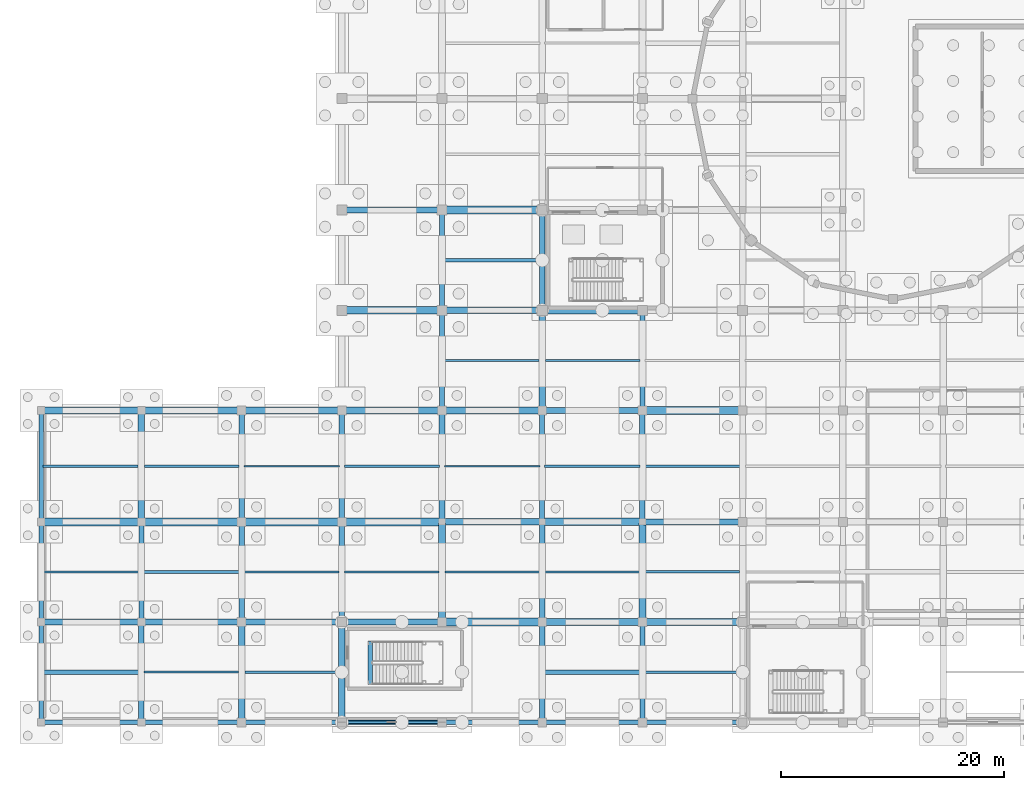
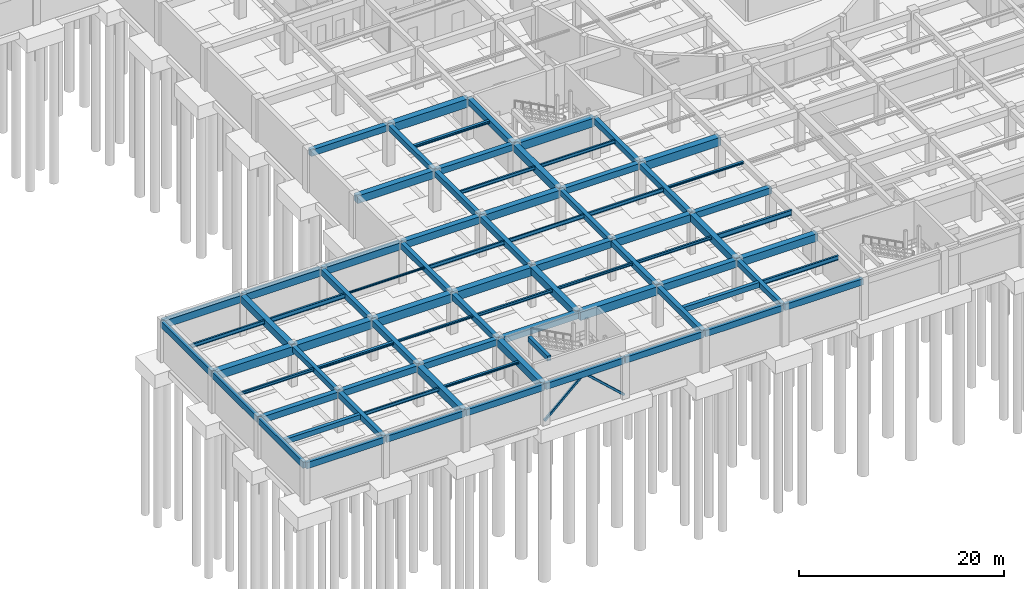
# One storey, part 28 of 62: 81 beams, 2 members.
"""IFC4 building model written with IfcOpenShell, lengths in metres."""

from ifc_helpers import new_model, si_unit, direction, frame, origin, origin_2d, place, context, subcontext, project, spatial, rectangle, hollow_rectangle, i_section, extrude, material, material_profile, profile_set, type_object, element, save


model = new_model("IFC4")

# Units and contexts
model_context = context("Model", 3, precision=1e-05, world=origin(), true_north=direction((0.0, 1.0)))
body_context = subcontext(model_context, "Body", "Model", "MODEL_VIEW")
ifc_project = project(units=[si_unit("LENGTHUNIT", "METRE"), si_unit("AREAUNIT", "SQUARE_METRE"), si_unit("VOLUMEUNIT", "CUBIC_METRE"), si_unit("PLANEANGLEUNIT", "RADIAN"), si_unit("MASSUNIT", "GRAM", prefix="KILO")], contexts=[model_context])

# Site, building, storey
site_placement = place(None, origin())
site = spatial("IfcSite", under=ifc_project, at=site_placement, CompositionType="ELEMENT")
building_placement = place(site_placement, origin())
building = spatial("IfcBuilding", under=site, at=building_placement, Name="Miravela Opera House", CompositionType="ELEMENT")
storey_placement = place(building_placement, frame((0.0, 0.0, -5.10009765625)))
storey = spatial("IfcBuildingStorey", under=building, at=storey_placement, Name="B01", CompositionType="ELEMENT", Elevation=-5.10009765625)

# Beams
ifc_material_1 = material(Name="Concrete C35/45", Category="concrete")
ifc_material_profile_1 = material_profile(ifc_material_1, rectangle(XDim=0.39990234375, YDim=0.60009765625, at=origin_2d()), Name="RC-BM-400X600")
ifc_profile_set_1 = profile_set([ifc_material_profile_1])
beam_type_1 = type_object("IfcBeamType", Name="STR-BM-RC400X600", PredefinedType="JOIST", material=ifc_profile_set_1)
beam_1_placement = place(storey_placement, frame((0.18505859375, 4.5, 4.52001953125), z_axis=(1.0, 0.0, 0.0), x_axis=(0.0, 1.0, 0.0)))
element("IfcBeam", 1, at=beam_1_placement, inside=storey, type_object=beam_type_1, Name="Secondary Floor Joist B01 1-2/A-B", PredefinedType="JOIST", context=body_context, shape_type="SweptSolid", body=[
    extrude(rectangle(XDim=0.39990234375, YDim=0.60009765625, at=origin_2d()), origin(), (0.0, 0.0, 1.0), 8.58984375),
])
beam_2_placement = place(storey_placement, frame((45.235107421875, 4.5, 4.52001953125), z_axis=(1.0, 0.0, 0.0), x_axis=(0.0, 1.0, 0.0)))
element("IfcBeam", 2, at=beam_2_placement, inside=storey, type_object=beam_type_1, Name="Secondary Floor Joist B01 6-7/A-B", PredefinedType="JOIST", context=body_context, shape_type="SweptSolid", body=[
    extrude(rectangle(XDim=0.39990234375, YDim=0.60009765625, at=origin_2d()), origin(), (0.0, 0.0, 1.0), 8.554931640625),
])
beam_3_placement = place(storey_placement, frame((29.5400390625, 3.39990234375, 4.800048828125), z_axis=(0.0, 1.0, 0.0), x_axis=(-1.0, 0.0, 0.0)))
element("IfcBeam", 3, at=beam_3_placement, inside=storey, type_object=beam_type_1, Name="Stair ST-08 Opening Header Trimmer Beam 00", PredefinedType="JOIST", context=body_context, shape_type="SweptSolid", body=[
    extrude(rectangle(XDim=0.39990234375, YDim=0.60009765625, at=origin_2d()), origin(), (0.0, 0.0, 1.0), 3.880126953125),
])
ifc_material_profile_2 = material_profile(ifc_material_1, rectangle(XDim=0.449951171875, YDim=0.64990234375, at=origin_2d()), Name="RC-BM-450X650")
ifc_profile_set_2 = profile_set([ifc_material_profile_2])
beam_type_2 = type_object("IfcBeamType", Name="STR-BM-RC450X650", PredefinedType="BEAM", material=ifc_profile_set_2)
for number, where, z_axis, x_axis, name in (
    (4, (9.0, 9.080078125, 4.4951171875), (0.0, 1.0, 0.0), (-1.0, 0.0, 0.0), "Floor Girder B01 2/B-C"),
    (5, (36.0, 37.080078125, 4.4951171875), (0.0, 1.0, 0.0), (-1.0, 0.0, 0.0), "Floor Girder B01 5/E-F"),
):
    element("IfcBeam", number, at=place(storey_placement, frame(where, z_axis=z_axis, x_axis=x_axis)), inside=storey, type_object=beam_type_2, Name=name, PredefinedType="BEAM", context=body_context, shape_type="SweptSolid", body=[
        extrude(rectangle(XDim=0.449951171875, YDim=0.64990234375, at=origin_2d()), origin(), (0.0, 0.0, 1.0), 8.83984375),
    ])
beam_4_placement = place(storey_placement, frame((45.0, 18.080078125, 4.505126953125), z_axis=(0.0, 1.0, 0.0), x_axis=(-1.0, 0.0, 0.0)))
element("IfcBeam", 6, at=beam_4_placement, inside=storey, type_object=beam_type_2, Name="Floor Girder B01 6/C-D", PredefinedType="BEAM", context=body_context, shape_type="SweptSolid", body=[
    extrude(rectangle(XDim=0.449951171875, YDim=0.64990234375, at=origin_2d()), origin(), (0.0, 0.0, 1.0), 9.83984375),
])
beam_5_placement = place(storey_placement, frame((54.0, 0.080078125, 4.4951171875), z_axis=(0.0, 1.0, 0.0), x_axis=(-1.0, 0.0, 0.0)))
element("IfcBeam", 7, at=beam_5_placement, inside=storey, type_object=beam_type_2, Name="Floor Girder B01 7/A-B", PredefinedType="BEAM", context=body_context, shape_type="SweptSolid", body=[
    extrude(rectangle(XDim=0.449951171875, YDim=0.64990234375, at=origin_2d()), origin(), (0.0, 0.0, 1.0), 8.83984375),
])
ifc_material_profile_3 = material_profile(ifc_material_1, rectangle(XDim=0.47998046875, YDim=0.679931640625, at=origin_2d()), Name="RC-BM-480X680")
ifc_profile_set_3 = profile_set([ifc_material_profile_3])
beam_type_3 = type_object("IfcBeamType", Name="STR-BM-RC480X680", PredefinedType="BEAM", material=ifc_profile_set_3)
beam_6_placement = place(storey_placement, frame((9.0, 0.080078125, 4.47998046875), z_axis=(0.0, 1.0, 0.0), x_axis=(-1.0, 0.0, 0.0)))
element("IfcBeam", 8, at=beam_6_placement, inside=storey, type_object=beam_type_3, Name="Floor Girder B01 2/A-B", PredefinedType="BEAM", context=body_context, shape_type="SweptSolid", body=[
    extrude(rectangle(XDim=0.47998046875, YDim=0.679931640625, at=origin_2d()), origin(), (0.0, 0.0, 1.0), 8.83984375),
])
for number, where, z_axis, x_axis, name in (
    (9, (18.0, 18.080078125, 4.47998046875), (0.0, 1.0, 0.0), (-1.0, 0.0, 0.0), "Floor Girder B01 3/C-D"),
    (10, (27.0, 18.080078125, 4.47998046875), (0.0, 1.0, 0.0), (-1.0, 0.0, 0.0), "Floor Girder B01 4/C-D"),
):
    element("IfcBeam", number, at=place(storey_placement, frame(where, z_axis=z_axis, x_axis=x_axis)), inside=storey, type_object=beam_type_3, Name=name, PredefinedType="BEAM", context=body_context, shape_type="SweptSolid", body=[
        extrude(rectangle(XDim=0.47998046875, YDim=0.679931640625, at=origin_2d()), origin(), (0.0, 0.0, 1.0), 9.83984375),
    ])
for number, where, z_axis, x_axis, name in (
    (11, (36.0, 28.080078125, 4.47998046875), (0.0, 1.0, 0.0), (-1.0, 0.0, 0.0), "Floor Girder B01 5/D-E"),
    (12, (45.0, 9.080078125, 4.489990234375), (0.0, 1.0, 0.0), (-1.0, 0.0, 0.0), "Floor Girder B01 6/B-C"),
    (13, (54.0, 28.080078125, 4.47998046875), (0.0, 1.0, 0.0), (-1.0, 0.0, 0.0), "Floor Girder B01 7/D-E"),
):
    element("IfcBeam", number, at=place(storey_placement, frame(where, z_axis=z_axis, x_axis=x_axis)), inside=storey, type_object=beam_type_3, Name=name, PredefinedType="BEAM", context=body_context, shape_type="SweptSolid", body=[
        extrude(rectangle(XDim=0.47998046875, YDim=0.679931640625, at=origin_2d()), origin(), (0.0, 0.0, 1.0), 8.83984375),
    ])
ifc_material_profile_4 = material_profile(ifc_material_1, rectangle(XDim=0.5, YDim=0.699951171875, at=origin_2d()), Name="RC-BM-500X700")
ifc_profile_set_4 = profile_set([ifc_material_profile_4])
beam_type_4 = type_object("IfcBeamType", Name="STR-BM-RC500X700", PredefinedType="BEAM", material=ifc_profile_set_4)
for number, where, z_axis, x_axis, name in (
    (14, (18.0, 9.080078125, 4.47021484375), (0.0, 1.0, 0.0), (-1.0, 0.0, 0.0), "Floor Girder B01 3/B-C"),
    (15, (27.0, 9.080078125, 4.47021484375), (0.0, 1.0, 0.0), (-1.0, 0.0, 0.0), "Floor Girder B01 4/B-C"),
):
    element("IfcBeam", number, at=place(storey_placement, frame(where, z_axis=z_axis, x_axis=x_axis)), inside=storey, type_object=beam_type_4, Name=name, PredefinedType="BEAM", context=body_context, shape_type="SweptSolid", body=[
        extrude(rectangle(XDim=0.5, YDim=0.699951171875, at=origin_2d()), origin(), (0.0, 0.0, 1.0), 8.83984375),
    ])
beam_7_placement = place(storey_placement, frame((36.0, 18.080078125, 4.47998046875), z_axis=(0.0, 1.0, 0.0), x_axis=(-1.0, 0.0, 0.0)))
element("IfcBeam", 16, at=beam_7_placement, inside=storey, type_object=beam_type_4, Name="Floor Girder B01 5/C-D", PredefinedType="BEAM", context=body_context, shape_type="SweptSolid", body=[
    extrude(rectangle(XDim=0.5, YDim=0.699951171875, at=origin_2d()), origin(), (0.0, 0.0, 1.0), 9.83984375),
])
for number, where, z_axis, x_axis, name in (
    (17, (45.0, 0.080078125, 4.47021484375), (0.0, 1.0, 0.0), (-1.0, 0.0, 0.0), "Floor Girder B01 6/A-B"),
    (18, (45.0, 37.080078125, 4.47021484375), (0.0, 1.0, 0.0), (-1.0, 0.0, 0.0), "Floor Girder B01 6/E-F"),
):
    element("IfcBeam", number, at=place(storey_placement, frame(where, z_axis=z_axis, x_axis=x_axis)), inside=storey, type_object=beam_type_4, Name=name, PredefinedType="BEAM", context=body_context, shape_type="SweptSolid", body=[
        extrude(rectangle(XDim=0.5, YDim=0.699951171875, at=origin_2d()), origin(), (0.0, 0.0, 1.0), 8.83984375),
    ])
beam_8_placement = place(storey_placement, frame((54.0, 18.080078125, 4.47998046875), z_axis=(0.0, 1.0, 0.0), x_axis=(-1.0, 0.0, 0.0)))
element("IfcBeam", 19, at=beam_8_placement, inside=storey, type_object=beam_type_4, Name="Floor Girder B01 7/C-D", PredefinedType="BEAM", context=body_context, shape_type="SweptSolid", body=[
    extrude(rectangle(XDim=0.5, YDim=0.699951171875, at=origin_2d()), origin(), (0.0, 0.0, 1.0), 9.83984375),
])
ifc_material_profile_5 = material_profile(ifc_material_1, rectangle(XDim=0.550048828125, YDim=0.75, at=origin_2d()), Name="RC-BM-550X750")
ifc_profile_set_5 = profile_set([ifc_material_profile_5])
beam_type_5 = type_object("IfcBeamType", Name="STR-BM-RC550X750", PredefinedType="BEAM", material=ifc_profile_set_5)
for number, where, z_axis, x_axis, name in (
    (20, (0.080078125, 9.0, 4.445068359375), (1.0, 0.0, 0.0), (0.0, 1.0, 0.0), "Floor Girder B01 1-2/B"),
    (21, (9.080078125, 9.0, 4.445068359375), (1.0, 0.0, 0.0), (0.0, 1.0, 0.0), "Floor Girder B01 2-3/B"),
    (22, (18.080078125, 9.0, 4.445068359375), (1.0, 0.0, 0.0), (0.0, 1.0, 0.0), "Floor Girder B01 3-4/B"),
    (23, (27.080078125, 9.0, 4.445068359375), (1.0, 0.0, 0.0), (0.0, 1.0, 0.0), "Floor Girder B01 4-5/B"),
    (24, (27.080078125, 46.0, 4.445068359375), (1.0, 0.0, 0.0), (0.0, 1.0, 0.0), "Floor Girder B01 4-5/F"),
    (25, (36.080078125, 37.0, 4.445068359375), (1.0, 0.0, 0.0), (0.0, 1.0, 0.0), "Floor Girder B01 5-6/E"),
    (26, (45.080078125, 28.0, 4.445068359375), (1.0, 0.0, 0.0), (0.0, 1.0, 0.0), "Floor Girder B01 6-7/D"),
    (27, (54.080078125, 18.0, 4.455078125), (1.0, 0.0, 0.0), (0.0, 1.0, 0.0), "Floor Girder B01 7-8/C"),
):
    element("IfcBeam", number, at=place(storey_placement, frame(where, z_axis=z_axis, x_axis=x_axis)), inside=storey, type_object=beam_type_5, Name=name, PredefinedType="BEAM", context=body_context, shape_type="SweptSolid", body=[
        extrude(rectangle(XDim=0.550048828125, YDim=0.75, at=origin_2d()), origin(), (0.0, 0.0, 1.0), 8.83984375),
    ])
ifc_material_2 = material(Name="Concrete C40/50", Category="concrete")
ifc_material_profile_6 = material_profile(ifc_material_2, rectangle(XDim=0.60009765625, YDim=0.85009765625, at=origin_2d()), Name="RC-BM-600X850")
ifc_profile_set_6 = profile_set([ifc_material_profile_6])
beam_type_6 = type_object("IfcBeamType", Name="STR-BM-RC600X850", PredefinedType="BEAM", material=ifc_profile_set_6)
for number, where, z_axis, x_axis, name in (
    (28, (0.080078125, 28.0, 4.39501953125), (1.0, 0.0, 0.0), (0.0, 1.0, 0.0), "Floor Girder B01 1-2/D"),
    (29, (9.080078125, 28.0, 4.39501953125), (1.0, 0.0, 0.0), (0.0, 1.0, 0.0), "Floor Girder B01 2-3/D"),
    (30, (18.080078125, 28.0, 4.39501953125), (1.0, 0.0, 0.0), (0.0, 1.0, 0.0), "Floor Girder B01 3-4/D"),
    (31, (27.080078125, 28.0, 4.39501953125), (1.0, 0.0, 0.0), (0.0, 1.0, 0.0), "Floor Girder B01 4-5/D"),
    (32, (36.080078125, 18.0, 4.405029296875), (1.0, 0.0, 0.0), (0.0, 1.0, 0.0), "Floor Girder B01 5-6/C"),
    (33, (45.080078125, 9.0, 4.39501953125), (1.0, 0.0, 0.0), (0.0, 1.0, 0.0), "Floor Girder B01 6-7/B"),
):
    element("IfcBeam", number, at=place(storey_placement, frame(where, z_axis=z_axis, x_axis=x_axis)), inside=storey, type_object=beam_type_6, Name=name, PredefinedType="BEAM", context=body_context, shape_type="SweptSolid", body=[
        extrude(rectangle(XDim=0.60009765625, YDim=0.85009765625, at=origin_2d()), origin(), (0.0, 0.0, 1.0), 8.83984375),
    ])
beam_9_placement = place(storey_placement, frame((9.0, 18.080078125, 4.39501953125), z_axis=(0.0, 1.0, 0.0), x_axis=(-1.0, 0.0, 0.0)))
element("IfcBeam", 34, at=beam_9_placement, inside=storey, type_object=beam_type_6, Name="Floor Girder B01 2/C-D", PredefinedType="BEAM", context=body_context, shape_type="SweptSolid", body=[
    extrude(rectangle(XDim=0.60009765625, YDim=0.85009765625, at=origin_2d()), origin(), (0.0, 0.0, 1.0), 9.83984375),
])
for number, where, z_axis, x_axis, name in (
    (35, (18.0, 0.080078125, 4.39501953125), (0.0, 1.0, 0.0), (-1.0, 0.0, 0.0), "Floor Girder B01 3/A-B"),
    (36, (27.0, 0.080078125, 4.39501953125), (0.0, 1.0, 0.0), (-1.0, 0.0, 0.0), "Floor Girder B01 4/A-B"),
    (37, (36.0, 9.080078125, 4.405029296875), (0.0, 1.0, 0.0), (-1.0, 0.0, 0.0), "Floor Girder B01 5/B-C"),
    (38, (45.0, 28.080078125, 4.39501953125), (0.0, 1.0, 0.0), (-1.0, 0.0, 0.0), "Floor Girder B01 6/D-E"),
    (39, (54.0, 9.080078125, 4.405029296875), (0.0, 1.0, 0.0), (-1.0, 0.0, 0.0), "Floor Girder B01 7/B-C"),
):
    element("IfcBeam", number, at=place(storey_placement, frame(where, z_axis=z_axis, x_axis=x_axis)), inside=storey, type_object=beam_type_6, Name=name, PredefinedType="BEAM", context=body_context, shape_type="SweptSolid", body=[
        extrude(rectangle(XDim=0.60009765625, YDim=0.85009765625, at=origin_2d()), origin(), (0.0, 0.0, 1.0), 8.83984375),
    ])
ifc_material_profile_7 = material_profile(ifc_material_2, rectangle(XDim=0.64990234375, YDim=0.89990234375, at=origin_2d()), Name="RC-BM-650X900")
ifc_profile_set_7 = profile_set([ifc_material_profile_7])
beam_type_7 = type_object("IfcBeamType", Name="STR-BM-RC650X900", PredefinedType="BEAM", material=ifc_profile_set_7)
for number, where, z_axis, x_axis, name in (
    (40, (27.080078125, 37.0, 4.3701171875), (1.0, 0.0, 0.0), (0.0, 1.0, 0.0), "Floor Girder B01 4-5/E"),
    (41, (36.080078125, 28.0, 4.3701171875), (1.0, 0.0, 0.0), (0.0, 1.0, 0.0), "Floor Girder B01 5-6/D"),
    (42, (45.080078125, 18.0, 4.380126953125), (1.0, 0.0, 0.0), (0.0, 1.0, 0.0), "Floor Girder B01 6-7/C"),
    (43, (54.080078125, 9.0, 4.3701171875), (1.0, 0.0, 0.0), (0.0, 1.0, 0.0), "Floor Girder B01 7-8/B"),
):
    element("IfcBeam", number, at=place(storey_placement, frame(where, z_axis=z_axis, x_axis=x_axis)), inside=storey, type_object=beam_type_7, Name=name, PredefinedType="BEAM", context=body_context, shape_type="SweptSolid", body=[
        extrude(rectangle(XDim=0.64990234375, YDim=0.89990234375, at=origin_2d()), origin(), (0.0, 0.0, 1.0), 8.83984375),
    ])
ifc_material_profile_8 = material_profile(ifc_material_2, rectangle(XDim=0.699951171875, YDim=1.0, at=origin_2d()), Name="RC-BM-700X1000")
ifc_profile_set_8 = profile_set([ifc_material_profile_8])
beam_type_8 = type_object("IfcBeamType", Name="STR-BM-RC700X1000", PredefinedType="BEAM", material=ifc_profile_set_8)
for number, where, z_axis, x_axis, name in (
    (44, (0.080078125, 18.0, 4.320068359375), (1.0, 0.0, 0.0), (0.0, 1.0, 0.0), "Floor Girder B01 1-2/C"),
    (45, (9.080078125, 18.0, 4.320068359375), (1.0, 0.0, 0.0), (0.0, 1.0, 0.0), "Floor Girder B01 2-3/C"),
    (46, (18.080078125, 18.0, 4.320068359375), (1.0, 0.0, 0.0), (0.0, 1.0, 0.0), "Floor Girder B01 3-4/C"),
    (47, (27.080078125, 18.0, 4.330078125), (1.0, 0.0, 0.0), (0.0, 1.0, 0.0), "Floor Girder B01 4-5/C"),
    (48, (36.080078125, 9.0, 4.320068359375), (1.0, 0.0, 0.0), (0.0, 1.0, 0.0), "Floor Girder B01 5-6/B"),
    (49, (36.080078125, 46.0, 4.320068359375), (1.0, 0.0, 0.0), (0.0, 1.0, 0.0), "Floor Girder B01 5-6/F"),
    (50, (45.080078125, 37.0, 4.320068359375), (1.0, 0.0, 0.0), (0.0, 1.0, 0.0), "Floor Girder B01 6-7/E"),
    (51, (54.080078125, 28.0, 4.320068359375), (1.0, 0.0, 0.0), (0.0, 1.0, 0.0), "Floor Girder B01 7-8/D"),
):
    element("IfcBeam", number, at=place(storey_placement, frame(where, z_axis=z_axis, x_axis=x_axis)), inside=storey, type_object=beam_type_8, Name=name, PredefinedType="BEAM", context=body_context, shape_type="SweptSolid", body=[
        extrude(rectangle(XDim=0.699951171875, YDim=1.0, at=origin_2d()), origin(), (0.0, 0.0, 1.0), 8.83984375),
    ])
ifc_material_3 = material(Name="Structural steel ASTM A992 Gr. 50", Category="steel")
ifc_material_profile_9 = material_profile(ifc_material_3, i_section(OverallWidth=0.1650390625, OverallDepth=0.200927734375, WebThickness=0.006103515625, FlangeThickness=0.01025390625, FilletRadius=0.010009765625, at=origin_2d()), Name="W200X36")
ifc_profile_set_9 = profile_set([ifc_material_profile_9])
beam_type_9 = type_object("IfcBeamType", Name="STR-BM-W200X36", PredefinedType="LINTEL", material=ifc_profile_set_9)
beam_10_placement = place(storey_placement, frame((18.22509765625, 23.0, 4.719482421875), z_axis=(1.0, 0.0, 0.0), x_axis=(0.0, 1.0, 0.0)))
element("IfcBeam", 52, at=beam_10_placement, inside=storey, type_object=beam_type_9, Name="Secondary Floor Joist B01 3-4/C-D", PredefinedType="LINTEL", context=body_context, shape_type="SweptSolid", body=[
    extrude(i_section(OverallWidth=0.1650390625, OverallDepth=0.200927734375, WebThickness=0.006103515625, FlangeThickness=0.01025390625, FilletRadius=0.010009765625, at=origin_2d()), origin(), (0.0, 0.0, 1.0), 8.5498046875),
])
ifc_material_profile_10 = material_profile(ifc_material_3, i_section(OverallWidth=0.201904296875, OverallDepth=0.2470703125, WebThickness=0.00732421875, FlangeThickness=0.010986328125, FilletRadius=0.011962890625, at=origin_2d()), Name="W250X49")
ifc_profile_set_10 = profile_set([ifc_material_profile_10])
beam_type_10 = type_object("IfcBeamType", Name="STR-BM-W250X49", PredefinedType="LINTEL", material=ifc_profile_set_10)
beam_11_placement = place(storey_placement, frame((18.235107421875, 13.5, 4.696533203125), z_axis=(1.0, 0.0, 0.0), x_axis=(0.0, 1.0, 0.0)))
element("IfcBeam", 53, at=beam_11_placement, inside=storey, type_object=beam_type_10, Name="Secondary Floor Joist B01 3-4/B-C", PredefinedType="LINTEL", context=body_context, shape_type="SweptSolid", body=[
    extrude(i_section(OverallWidth=0.201904296875, OverallDepth=0.2470703125, WebThickness=0.00732421875, FlangeThickness=0.010986328125, FilletRadius=0.011962890625, at=origin_2d()), origin(), (0.0, 0.0, 1.0), 8.52978515625),
])
ifc_material_profile_11 = material_profile(ifc_material_3, i_section(OverallWidth=0.25390625, OverallDepth=0.2529296875, WebThickness=0.008544921875, FlangeThickness=0.01416015625, FilletRadius=0.011962890625, at=origin_2d()), Name="W250X73")
ifc_profile_set_11 = profile_set([ifc_material_profile_11])
beam_type_11 = type_object("IfcBeamType", Name="STR-BM-W250X73", PredefinedType="JOIST", material=ifc_profile_set_11)
beam_12_placement = place(storey_placement, frame((18.284912109375, 4.5, 4.693603515625), z_axis=(1.0, 0.0, 0.0), x_axis=(0.0, 1.0, 0.0)))
element("IfcBeam", 54, at=beam_12_placement, inside=storey, type_object=beam_type_11, Name="Secondary Floor Joist B01 3-4/A-B", PredefinedType="JOIST", context=body_context, shape_type="SweptSolid", body=[
    extrude(i_section(OverallWidth=0.25390625, OverallDepth=0.2529296875, WebThickness=0.008544921875, FlangeThickness=0.01416015625, FilletRadius=0.011962890625, at=origin_2d()), origin(), (0.0, 0.0, 1.0), 8.43017578125),
])
beam_13_placement = place(storey_placement, frame((54.235107421875, 23.0, 4.70361328125), z_axis=(1.0, 0.0, 0.0), x_axis=(0.0, 1.0, 0.0)))
element("IfcBeam", 55, at=beam_13_placement, inside=storey, type_object=beam_type_11, Name="Secondary Floor Joist B01 7-8/C-D", PredefinedType="JOIST", context=body_context, shape_type="SweptSolid", body=[
    extrude(i_section(OverallWidth=0.25390625, OverallDepth=0.2529296875, WebThickness=0.008544921875, FlangeThickness=0.01416015625, FilletRadius=0.011962890625, at=origin_2d()), origin(), (0.0, 0.0, 1.0), 8.52978515625),
])
ifc_material_profile_12 = material_profile(ifc_material_3, i_section(OverallWidth=0.202880859375, OverallDepth=0.302978515625, WebThickness=0.007568359375, FlangeThickness=0.01318359375, FilletRadius=0.012939453125, at=origin_2d()), Name="W310X60")
ifc_profile_set_12 = profile_set([ifc_material_profile_12])
beam_type_12 = type_object("IfcBeamType", Name="STR-BM-W310X60", PredefinedType="JOIST", material=ifc_profile_set_12)
beam_14_placement = place(storey_placement, frame((36.284912109375, 13.5, 4.6787109375), z_axis=(1.0, 0.0, 0.0), x_axis=(0.0, 1.0, 0.0)))
element("IfcBeam", 56, at=beam_14_placement, inside=storey, type_object=beam_type_12, Name="Secondary Floor Joist B01 5-6/B-C", PredefinedType="JOIST", context=body_context, shape_type="SweptSolid", body=[
    extrude(i_section(OverallWidth=0.202880859375, OverallDepth=0.302978515625, WebThickness=0.007568359375, FlangeThickness=0.01318359375, FilletRadius=0.012939453125, at=origin_2d()), origin(), (0.0, 0.0, 1.0), 8.489990234375),
])
ifc_material_profile_13 = material_profile(ifc_material_3, i_section(OverallWidth=0.304931640625, OverallDepth=0.30810546875, WebThickness=0.010009765625, FlangeThickness=0.015380859375, FilletRadius=0.013916015625, at=origin_2d()), Name="W310X97")
ifc_profile_set_13 = profile_set([ifc_material_profile_13])
beam_type_13 = type_object("IfcBeamType", Name="STR-BM-W310X97", PredefinedType="JOIST", material=ifc_profile_set_13)
for number, where, z_axis, x_axis, name in (
    (57, (9.2099609375, 13.5, 4.666015625), (1.0, 0.0, 0.0), (0.0, 1.0, 0.0), "Secondary Floor Joist B01 2-3/B-C"),
    (58, (36.2099609375, 41.5, 4.666015625), (1.0, 0.0, 0.0), (0.0, 1.0, 0.0), "Secondary Floor Joist B01 5-6/E-F"),
):
    element("IfcBeam", number, at=place(storey_placement, frame(where, z_axis=z_axis, x_axis=x_axis)), inside=storey, type_object=beam_type_13, Name=name, PredefinedType="JOIST", context=body_context, shape_type="SweptSolid", body=[
        extrude(i_section(OverallWidth=0.304931640625, OverallDepth=0.30810546875, WebThickness=0.010009765625, FlangeThickness=0.015380859375, FilletRadius=0.013916015625, at=origin_2d()), origin(), (0.0, 0.0, 1.0), 8.554931640625),
    ])
ifc_material_profile_14 = material_profile(ifc_material_3, i_section(OverallWidth=0.2041015625, OverallDepth=0.35009765625, WebThickness=0.008544921875, FlangeThickness=0.01513671875, FilletRadius=0.013916015625, at=origin_2d()), Name="W360X72")
ifc_profile_set_14 = profile_set([ifc_material_profile_14])
beam_type_14 = type_object("IfcBeamType", Name="STR-BM-W360X72", PredefinedType="JOIST", material=ifc_profile_set_14)
beam_15_placement = place(storey_placement, frame((0.18505859375, 13.5, 4.64501953125), z_axis=(1.0, 0.0, 0.0), x_axis=(0.0, 1.0, 0.0)))
element("IfcBeam", 59, at=beam_15_placement, inside=storey, type_object=beam_type_14, Name="Secondary Floor Joist B01 1-2/B-C", PredefinedType="JOIST", context=body_context, shape_type="SweptSolid", body=[
    extrude(i_section(OverallWidth=0.2041015625, OverallDepth=0.35009765625, WebThickness=0.008544921875, FlangeThickness=0.01513671875, FilletRadius=0.013916015625, at=origin_2d()), origin(), (0.0, 0.0, 1.0), 8.60498046875),
])
beam_16_placement = place(storey_placement, frame((27.235107421875, 13.5, 4.655029296875), z_axis=(1.0, 0.0, 0.0), x_axis=(0.0, 1.0, 0.0)))
element("IfcBeam", 60, at=beam_16_placement, inside=storey, type_object=beam_type_14, Name="Secondary Floor Joist B01 4-5/B-C", PredefinedType="JOIST", context=body_context, shape_type="SweptSolid", body=[
    extrude(i_section(OverallWidth=0.2041015625, OverallDepth=0.35009765625, WebThickness=0.008544921875, FlangeThickness=0.01513671875, FilletRadius=0.013916015625, at=origin_2d()), origin(), (0.0, 0.0, 1.0), 8.47998046875),
])
beam_17_placement = place(storey_placement, frame((45.22509765625, 13.5, 4.655029296875), z_axis=(1.0, 0.0, 0.0), x_axis=(0.0, 1.0, 0.0)))
element("IfcBeam", 61, at=beam_17_placement, inside=storey, type_object=beam_type_14, Name="Secondary Floor Joist B01 6-7/B-C", PredefinedType="JOIST", context=body_context, shape_type="SweptSolid", body=[
    extrude(i_section(OverallWidth=0.2041015625, OverallDepth=0.35009765625, WebThickness=0.008544921875, FlangeThickness=0.01513671875, FilletRadius=0.013916015625, at=origin_2d()), origin(), (0.0, 0.0, 1.0), 8.489990234375),
])
ifc_material_profile_15 = material_profile(ifc_material_3, i_section(OverallWidth=0.177978515625, OverallDepth=0.406982421875, WebThickness=0.0078125, FlangeThickness=0.0126953125, FilletRadius=0.012939453125, at=origin_2d()), Name="W410X60")
ifc_profile_set_15 = profile_set([ifc_material_profile_15])
beam_type_15 = type_object("IfcBeamType", Name="STR-BM-W410X60", PredefinedType="JOIST", material=ifc_profile_set_15)
for number, where, z_axis, x_axis, name in (
    (62, (9.22509765625, 4.5, 4.61669921875), (1.0, 0.0, 0.0), (0.0, 1.0, 0.0), "Secondary Floor Joist B01 2-3/A-B"),
    (63, (36.22509765625, 32.5, 4.61669921875), (1.0, 0.0, 0.0), (0.0, 1.0, 0.0), "Secondary Floor Joist B01 5-6/D-E"),
):
    element("IfcBeam", number, at=place(storey_placement, frame(where, z_axis=z_axis, x_axis=x_axis)), inside=storey, type_object=beam_type_15, Name=name, PredefinedType="JOIST", context=body_context, shape_type="SweptSolid", body=[
        extrude(i_section(OverallWidth=0.177978515625, OverallDepth=0.406982421875, WebThickness=0.0078125, FlangeThickness=0.0126953125, FilletRadius=0.012939453125, at=origin_2d()), origin(), (0.0, 0.0, 1.0), 8.489990234375),
    ])
ifc_material_profile_16 = material_profile(ifc_material_3, i_section(OverallWidth=0.180908203125, OverallDepth=0.4169921875, WebThickness=0.010986328125, FlangeThickness=0.018310546875, FilletRadius=0.013916015625, at=origin_2d()), Name="W410X85")
ifc_profile_set_16 = profile_set([ifc_material_profile_16])
beam_type_16 = type_object("IfcBeamType", Name="STR-BM-W410X85", PredefinedType="JOIST", material=ifc_profile_set_16)
beam_18_placement = place(storey_placement, frame((45.284912109375, 32.5, 4.611572265625), z_axis=(1.0, 0.0, 0.0), x_axis=(0.0, 1.0, 0.0)))
element("IfcBeam", 64, at=beam_18_placement, inside=storey, type_object=beam_type_16, Name="Secondary Floor Joist B01 6-7/D-E", PredefinedType="JOIST", context=body_context, shape_type="SweptSolid", body=[
    extrude(i_section(OverallWidth=0.180908203125, OverallDepth=0.4169921875, WebThickness=0.010986328125, FlangeThickness=0.018310546875, FilletRadius=0.013916015625, at=origin_2d()), origin(), (0.0, 0.0, 1.0), 8.489990234375),
])
ifc_material_profile_17 = material_profile(ifc_material_3, i_section(OverallWidth=0.154052734375, OverallDepth=0.458984375, WebThickness=0.009033203125, FlangeThickness=0.015380859375, FilletRadius=0.013916015625, at=origin_2d()), Name="W460X68")
ifc_profile_set_17 = profile_set([ifc_material_profile_17])
beam_type_17 = type_object("IfcBeamType", Name="STR-BM-W460X68", PredefinedType="JOIST", material=ifc_profile_set_17)
beam_19_placement = place(storey_placement, frame((36.235107421875, 23.0, 4.6005859375), z_axis=(1.0, 0.0, 0.0), x_axis=(0.0, 1.0, 0.0)))
element("IfcBeam", 65, at=beam_19_placement, inside=storey, type_object=beam_type_17, Name="Secondary Floor Joist B01 5-6/C-D", PredefinedType="JOIST", context=body_context, shape_type="SweptSolid", body=[
    extrude(i_section(OverallWidth=0.154052734375, OverallDepth=0.458984375, WebThickness=0.009033203125, FlangeThickness=0.015380859375, FilletRadius=0.013916015625, at=origin_2d()), origin(), (0.0, 0.0, 1.0), 8.554931640625),
])
ifc_material_profile_18 = material_profile(ifc_material_3, i_section(OverallWidth=0.19091796875, OverallDepth=0.4599609375, WebThickness=0.010009765625, FlangeThickness=0.01611328125, FilletRadius=0.014892578125, at=origin_2d()), Name="W460X82")
ifc_profile_set_18 = profile_set([ifc_material_profile_18])
beam_type_18 = type_object("IfcBeamType", Name="STR-BM-W460X82", PredefinedType="JOIST", material=ifc_profile_set_18)
beam_20_placement = place(storey_placement, frame((0.18505859375, 23.0, 4.590087890625), z_axis=(1.0, 0.0, 0.0), x_axis=(0.0, 1.0, 0.0)))
element("IfcBeam", 66, at=beam_20_placement, inside=storey, type_object=beam_type_18, Name="Secondary Floor Joist B01 1-2/C-D", PredefinedType="JOIST", context=body_context, shape_type="SweptSolid", body=[
    extrude(i_section(OverallWidth=0.19091796875, OverallDepth=0.4599609375, WebThickness=0.010009765625, FlangeThickness=0.01611328125, FilletRadius=0.014892578125, at=origin_2d()), origin(), (0.0, 0.0, 1.0), 8.530029296875),
])
beam_21_placement = place(storey_placement, frame((27.22509765625, 23.0, 4.60009765625), z_axis=(1.0, 0.0, 0.0), x_axis=(0.0, 1.0, 0.0)))
element("IfcBeam", 67, at=beam_21_placement, inside=storey, type_object=beam_type_18, Name="Secondary Floor Joist B01 4-5/C-D", PredefinedType="JOIST", context=body_context, shape_type="SweptSolid", body=[
    extrude(i_section(OverallWidth=0.19091796875, OverallDepth=0.4599609375, WebThickness=0.010009765625, FlangeThickness=0.01611328125, FilletRadius=0.014892578125, at=origin_2d()), origin(), (0.0, 0.0, 1.0), 8.539794921875),
])
beam_22_placement = place(storey_placement, frame((45.2099609375, 23.0, 4.60009765625), z_axis=(1.0, 0.0, 0.0), x_axis=(0.0, 1.0, 0.0)))
element("IfcBeam", 68, at=beam_22_placement, inside=storey, type_object=beam_type_18, Name="Secondary Floor Joist B01 6-7/C-D", PredefinedType="JOIST", context=body_context, shape_type="SweptSolid", body=[
    extrude(i_section(OverallWidth=0.19091796875, OverallDepth=0.4599609375, WebThickness=0.010009765625, FlangeThickness=0.01611328125, FilletRadius=0.014892578125, at=origin_2d()), origin(), (0.0, 0.0, 1.0), 8.554931640625),
])
ifc_material_profile_19 = material_profile(ifc_material_3, i_section(OverallWidth=0.208984375, OverallDepth=0.532958984375, WebThickness=0.01025390625, FlangeThickness=0.015625, FilletRadius=0.014892578125, at=origin_2d()), Name="W530X92")
ifc_profile_set_19 = profile_set([ifc_material_profile_19])
beam_type_19 = type_object("IfcBeamType", Name="STR-BM-W530X92", PredefinedType="BEAM", material=ifc_profile_set_19)
beam_23_placement = place(storey_placement, frame((9.284912109375, 23.0, 4.5537109375), z_axis=(1.0, 0.0, 0.0), x_axis=(0.0, 1.0, 0.0)))
element("IfcBeam", 69, at=beam_23_placement, inside=storey, type_object=beam_type_19, Name="Secondary Floor Joist B01 2-3/C-D", PredefinedType="BEAM", context=body_context, shape_type="SweptSolid", body=[
    extrude(i_section(OverallWidth=0.208984375, OverallDepth=0.532958984375, WebThickness=0.01025390625, FlangeThickness=0.015625, FilletRadius=0.014892578125, at=origin_2d()), origin(), (0.0, 0.0, 1.0), 8.489990234375),
])
beam_24_placement = place(storey_placement, frame((54.2099609375, 4.5, 4.5537109375), z_axis=(1.0, 0.0, 0.0), x_axis=(0.0, 1.0, 0.0)))
element("IfcBeam", 70, at=beam_24_placement, inside=storey, type_object=beam_type_19, Name="Secondary Floor Joist B01 7-8/A-B", PredefinedType="BEAM", context=body_context, shape_type="SweptSolid", body=[
    extrude(i_section(OverallWidth=0.208984375, OverallDepth=0.532958984375, WebThickness=0.01025390625, FlangeThickness=0.015625, FilletRadius=0.014892578125, at=origin_2d()), origin(), (0.0, 0.0, 1.0), 8.580078125),
])
ifc_material_profile_20 = material_profile(ifc_material_3, i_section(OverallWidth=0.22802734375, OverallDepth=0.60791015625, WebThickness=0.01123046875, FlangeThickness=0.017333984375, FilletRadius=0.01611328125, at=origin_2d()), Name="W610X113")
ifc_profile_set_20 = profile_set([ifc_material_profile_20])
beam_type_20 = type_object("IfcBeamType", Name="STR-BM-W610X113", PredefinedType="BEAM", material=ifc_profile_set_20)
beam_25_placement = place(storey_placement, frame((54.284912109375, 13.5, 4.526123046875), z_axis=(1.0, 0.0, 0.0), x_axis=(0.0, 1.0, 0.0)))
element("IfcBeam", 71, at=beam_25_placement, inside=storey, type_object=beam_type_20, Name="Secondary Floor Joist B01 7-8/B-C", PredefinedType="BEAM", context=body_context, shape_type="SweptSolid", body=[
    extrude(i_section(OverallWidth=0.22802734375, OverallDepth=0.60791015625, WebThickness=0.01123046875, FlangeThickness=0.017333984375, FilletRadius=0.01611328125, at=origin_2d()), origin(), (0.0, 0.0, 1.0), 8.43017578125),
])

# Members
ifc_material_4 = material(Name="Hollow structural steel ASTM A500 Gr. C", Category="steel")
ifc_material_profile_21 = material_profile(ifc_material_4, hollow_rectangle(XDim=0.25, YDim=0.25, WallThickness=0.011962890625, InnerFilletRadius=0.011962890625, OuterFilletRadius=0.02392578125, at=origin_2d()), Name="HSS250X250X12")
ifc_profile_set_21 = profile_set([ifc_material_profile_21])
member_type = type_object("IfcMemberType", Name="STR-MEM-FRAME-BR1", PredefinedType="BRACE", material=ifc_profile_set_21)
for number, where, z_axis, x_axis, name in (
    (72, (27.0, 0.0, 0.300048828125), (0.736735892782, 0.0, 0.676180615137), (0.0, 1.0, 0.0), "Concentric Braced Frame BF-S1 B01 Left Brace"),
    (73, (36.0, 0.0, 0.300048828125), (-0.736735892782, 0.0, 0.676180615137), (0.0, -1.0, 0.0), "Concentric Braced Frame BF-S1 B01 Right Brace"),
):
    element("IfcMember", number, at=place(storey_placement, frame(where, z_axis=z_axis, x_axis=x_axis)), inside=storey, type_object=member_type, Name=name, PredefinedType="BRACE", context=body_context, shape_type="SweptSolid", body=[
        extrude(hollow_rectangle(XDim=0.25, YDim=0.25, WallThickness=0.011962890625, InnerFilletRadius=0.011962890625, OuterFilletRadius=0.02392578125, at=origin_2d()), origin(), (0.0, 0.0, 1.0), 6.10791015625),
    ])

# Beams
ifc_material_profile_22 = material_profile(ifc_material_1, rectangle(XDim=0.39990234375, YDim=0.75, at=origin_2d()), Name="RC-SPN-400X750")
ifc_profile_set_22 = profile_set([ifc_material_profile_22])
beam_type_21 = type_object("IfcBeamType", Name="STR-SPN-RC400X750", PredefinedType="SPANDREL", material=ifc_profile_set_22)
for number, where, z_axis, x_axis, name in (
    (74, (0.080078125, 0.0, 4.445068359375), (1.0, 0.0, 0.0), (0.0, 1.0, 0.0), "Floor Girder B01 1-2/A"),
    (75, (9.080078125, 0.0, 4.445068359375), (1.0, 0.0, 0.0), (0.0, 1.0, 0.0), "Floor Girder B01 2-3/A"),
    (76, (18.080078125, 0.0, 4.445068359375), (1.0, 0.0, 0.0), (0.0, 1.0, 0.0), "Floor Girder B01 3-4/A"),
    (77, (27.080078125, 0.0, 4.445068359375), (1.0, 0.0, 0.0), (0.0, 1.0, 0.0), "Floor Girder B01 4-5/A"),
    (78, (36.080078125, 0.0, 4.445068359375), (1.0, 0.0, 0.0), (0.0, 1.0, 0.0), "Floor Girder B01 5-6/A"),
    (79, (45.080078125, 0.0, 4.445068359375), (1.0, 0.0, 0.0), (0.0, 1.0, 0.0), "Floor Girder B01 6-7/A"),
    (80, (54.080078125, 0.0, 4.445068359375), (1.0, 0.0, 0.0), (0.0, 1.0, 0.0), "Floor Girder B01 7-8/A"),
    (81, (0.0, 0.080078125, 4.445068359375), (0.0, 1.0, 0.0), (-1.0, 0.0, 0.0), "Floor Girder B01 1/A-B"),
    (82, (0.0, 9.080078125, 4.445068359375), (0.0, 1.0, 0.0), (-1.0, 0.0, 0.0), "Floor Girder B01 1/B-C"),
):
    element("IfcBeam", number, at=place(storey_placement, frame(where, z_axis=z_axis, x_axis=x_axis)), inside=storey, type_object=beam_type_21, Name=name, PredefinedType="SPANDREL", context=body_context, shape_type="SweptSolid", body=[
        extrude(rectangle(XDim=0.39990234375, YDim=0.75, at=origin_2d()), origin(), (0.0, 0.0, 1.0), 8.83984375),
    ])
beam_26_placement = place(storey_placement, frame((0.0, 18.080078125, 4.445068359375), z_axis=(0.0, 1.0, 0.0), x_axis=(-1.0, 0.0, 0.0)))
element("IfcBeam", 83, at=beam_26_placement, inside=storey, type_object=beam_type_21, Name="Floor Girder B01 1/C-D", PredefinedType="SPANDREL", context=body_context, shape_type="SweptSolid", body=[
    extrude(rectangle(XDim=0.39990234375, YDim=0.75, at=origin_2d()), origin(), (0.0, 0.0, 1.0), 9.83984375),
])

save(model, "model.ifc")
